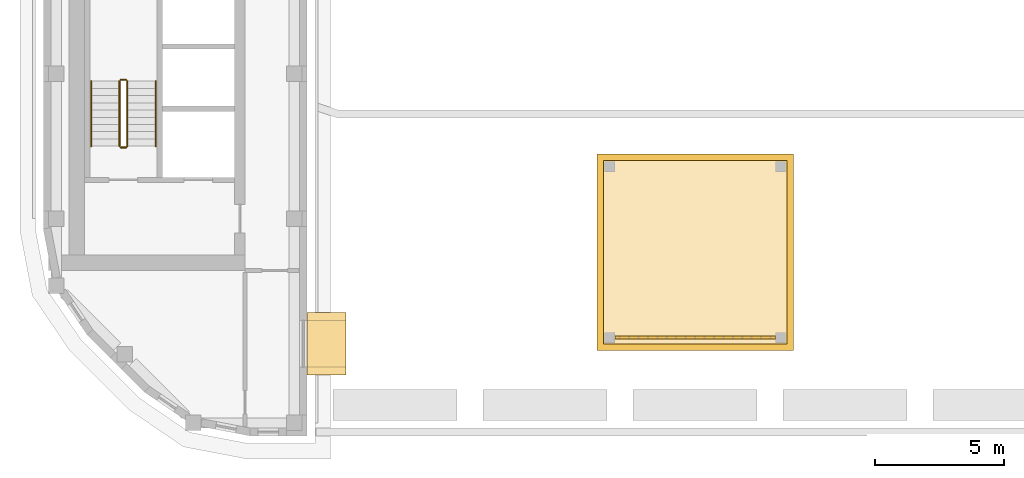
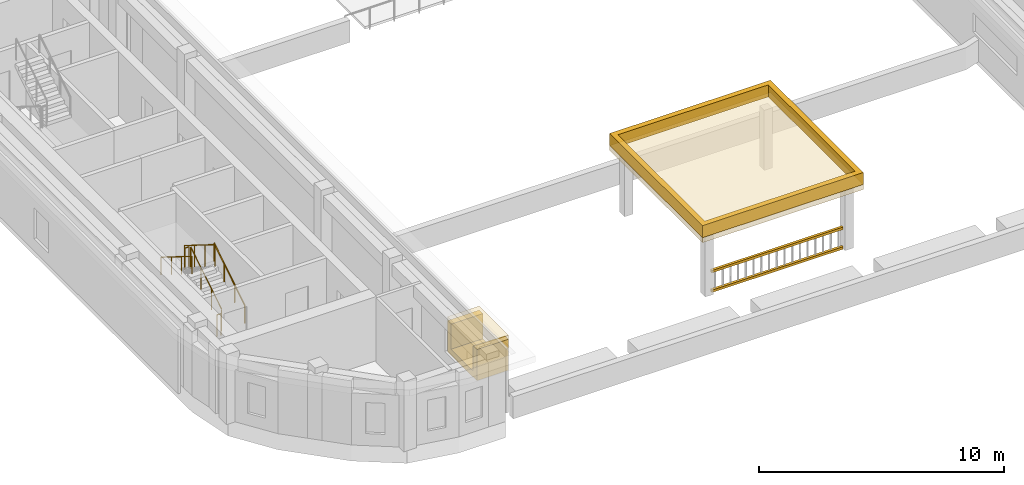
# One storey, part 6 of 14: 6 coverings, 6 railings.
"""IFC4 building model written with IfcOpenShell, lengths in metres."""

from ifc_helpers import new_model, si_unit, direction, frame, origin, origin_2d, place, context, subcontext, project, spatial, polyline, rectangle, circle, outline, extrude, material, layer, layer_set, type_object, element, save


model = new_model("IFC4")

# Units and contexts
model_context = context("Model", 3, precision=1e-05, world=origin(), true_north=direction((0.0, 1.0)))
body_context = subcontext(model_context, "Body", "Model", "MODEL_VIEW")
ifc_project = project(units=[si_unit("LENGTHUNIT", "METRE"), si_unit("AREAUNIT", "SQUARE_METRE"), si_unit("VOLUMEUNIT", "CUBIC_METRE"), si_unit("PLANEANGLEUNIT", "RADIAN"), si_unit("MASSUNIT", "GRAM", prefix="KILO")], contexts=[model_context])

# Site, building, storey
site_placement = place(None, origin())
site = spatial("IfcSite", under=ifc_project, at=site_placement, CompositionType="ELEMENT")
building_placement = place(site_placement, origin())
building = spatial("IfcBuilding", under=site, at=building_placement, Name="Kiln Ring Residences", CompositionType="ELEMENT")
storey_placement = place(building_placement, frame((0.0, 0.0, 299.89990234375)))
storey = spatial("IfcBuildingStorey", under=building, at=storey_placement, Name="L77 Crown", CompositionType="ELEMENT", Elevation=299.89990234375)

# Coverings
ifc_material_1 = material(Name="Brick masonry, dark clay brick", Category="masonry")
ifc_layer_1 = layer(ifc_material_1, 0.25)
ifc_layer_set_1 = layer_set([ifc_layer_1], Name="CHHATRI PARAPET 250")
covering_type_1 = type_object("IfcCoveringType", Name="CHHATRI PARAPET 250", PredefinedType="CLADDING", material=ifc_layer_set_1)
covering_1_placement = place(storey_placement, frame((0.0, 0.0, 3.25)))
element("IfcCovering", 1, at=covering_1_placement, inside=storey, type_object=covering_type_1, Name="CHHATRI PARAPET L77 Crown", PredefinedType="CLADDING", context=body_context, shape_type="SweptSolid", body=[
    extrude(outline(polyline([(-3.800048828125, -16.300048828125), (3.800048828125, -16.300048828125), (3.800048828125, -8.699951171875), (-3.800048828125, -8.699951171875), (-3.800048828125, -16.300048828125)]), holes=[polyline([(3.550048828125, -8.949951171875), (3.550048828125, -16.050048828125), (-3.550048828125, -16.050048828125), (-3.550048828125, -8.949951171875), (3.550048828125, -8.949951171875)])]), origin(), (0.0, 0.0, 1.0), 0.60009765625),
])
ifc_material_2 = material(Name="Concrete C35/45, exposed aggregate finish", Category="concrete")
ifc_layer_2 = layer(ifc_material_2, 0.25)
ifc_layer_set_2 = layer_set([ifc_layer_2], Name="CHHATRI ROOF 250")
covering_type_2 = type_object("IfcCoveringType", Name="CHHATRI ROOF 250", PredefinedType="ROOFING", material=ifc_layer_set_2)
covering_2_placement = place(storey_placement, frame((0.0, 0.0, 3.0)))
element("IfcCovering", 2, at=covering_2_placement, inside=storey, type_object=covering_type_2, Name="CHHATRI ROOF L77 Crown", PredefinedType="ROOFING", context=body_context, shape_type="SweptSolid", body=[
    extrude(outline(polyline([(3.800048828125, -16.300048828125), (3.800048828125, -8.699951171875), (-3.800048828125, -8.699951171875), (-3.800048828125, -16.300048828125), (3.800048828125, -16.300048828125)])), origin(), (0.0, 0.0, 1.0), 0.25),
])

# Railings
ifc_material_3 = material(Name="Stainless steel", Category="steel")
railing_type_1 = type_object("IfcRailingType", Name="CORE-STAIR-GUARD", PredefinedType="GUARDRAIL", material=ifc_material_3)
railing_1_placement = place(storey_placement, frame((-21.949951171875, -8.39990234375, 0.175048828125)))
element("IfcRailing", 3, at=railing_1_placement, inside=storey, type_object=railing_type_1, Name="L77 Crown W-STS stair guard 1", PredefinedType="GUARDRAIL", context=body_context, shape_type="SweptSolid", body=[
    extrude(circle(Radius=0.02392578125, at=origin_2d()), frame((0.0, 0.0, 1.076171875), z_axis=(0.0, 0.848007534815, 0.529984170421), x_axis=(-1.0, 0.0, 0.0)), (0.0, 0.0, 1.0), 2.9716796875),
    extrude(circle(Radius=0.02099609375, at=origin_2d()), origin(), (0.0, 0.0, 1.0), 1.052001953125),
    extrude(circle(Radius=0.02099609375, at=origin_2d()), frame((0.0, 0.840087890625, 0.52490234375)), (0.0, 0.0, 1.0), 1.052001953125),
    extrude(circle(Radius=0.02099609375, at=origin_2d()), frame((0.0, 1.679931640625, 1.050048828125)), (0.0, 0.0, 1.0), 1.052001953125),
    extrude(circle(Radius=0.02099609375, at=origin_2d()), frame((0.0, 2.52001953125, 1.574951171875)), (0.0, 0.0, 1.0), 1.052001953125),
])
railing_2_placement = place(storey_placement, frame((-22.0, -5.830078125, 1.75)))
element("IfcRailing", 4, at=railing_2_placement, inside=storey, type_object=railing_type_1, Name="L77 Crown W-STS stair guard 2", PredefinedType="GUARDRAIL", context=body_context, shape_type="SweptSolid", body=[
    extrude(circle(Radius=0.02392578125, at=origin_2d()), frame((0.0, 0.0, 1.076171875), z_axis=(-1.0, 0.0, 0.0), x_axis=(0.0, -1.0, 0.0)), (0.0, 0.0, 1.0), 0.199951171875),
    extrude(circle(Radius=0.02099609375, at=origin_2d()), origin(), (0.0, 0.0, 1.0), 1.052001953125),
    extrude(circle(Radius=0.02099609375, at=origin_2d()), frame((-0.199951171875, 0.0, 0.0)), (0.0, 0.0, 1.0), 1.052001953125),
])
railing_3_placement = place(storey_placement, frame((-22.25, -5.8798828125, 1.925048828125)))
element("IfcRailing", 5, at=railing_3_placement, inside=storey, type_object=railing_type_1, Name="L77 Crown W-STS stair guard 3", PredefinedType="GUARDRAIL", context=body_context, shape_type="SweptSolid", body=[
    extrude(circle(Radius=0.02392578125, at=origin_2d()), frame((0.0, 0.0, 1.076171875), z_axis=(0.0, -0.848007534815, 0.529984170421), x_axis=(1.0, 0.0, 0.0)), (0.0, 0.0, 1.0), 2.9716796875),
    extrude(circle(Radius=0.02099609375, at=origin_2d()), origin(), (0.0, 0.0, 1.0), 1.052001953125),
    extrude(circle(Radius=0.02099609375, at=origin_2d()), frame((0.0, -0.840087890625, 0.52490234375)), (0.0, 0.0, 1.0), 1.052001953125),
    extrude(circle(Radius=0.02099609375, at=origin_2d()), frame((0.0, -1.679931640625, 1.050048828125)), (0.0, 0.0, 1.0), 1.052001953125),
    extrude(circle(Radius=0.02099609375, at=origin_2d()), frame((0.0, -2.52001953125, 1.574951171875)), (0.0, 0.0, 1.0), 1.052001953125),
])
railing_4_placement = place(storey_placement, frame((-22.0, -8.449951171875, 0.0)))
element("IfcRailing", 6, at=railing_4_placement, inside=storey, type_object=railing_type_1, Name="L77 Crown W-STS stair guard 4", PredefinedType="GUARDRAIL", context=body_context, shape_type="SweptSolid", body=[
    extrude(circle(Radius=0.02392578125, at=origin_2d()), frame((0.0, 0.0, 1.076171875), z_axis=(-1.0, 0.0, 0.0), x_axis=(0.0, -1.0, 0.0)), (0.0, 0.0, 1.0), 0.199951171875),
    extrude(circle(Radius=0.02099609375, at=origin_2d()), origin(), (0.0, 0.0, 1.0), 1.052001953125),
    extrude(circle(Radius=0.02099609375, at=origin_2d()), frame((-0.199951171875, 0.0, 0.0)), (0.0, 0.0, 1.0), 1.052001953125),
])
ifc_material_4 = material(Name="Stainless steel", Category="steel")
railing_type_2 = type_object("IfcRailingType", Name="CORE-STAIR-HANDRAIL", PredefinedType="HANDRAIL", material=ifc_material_4)
railing_5_placement = place(storey_placement, frame((-20.85009765625, -8.39990234375, 0.175048828125)))
element("IfcRailing", 7, at=railing_5_placement, inside=storey, type_object=railing_type_2, Name="L77 Crown W-STS stair handrail 1", PredefinedType="HANDRAIL", context=body_context, shape_type="SweptSolid", body=[
    extrude(circle(Radius=0.02392578125, at=origin_2d()), frame((0.0, 0.0, 0.8759765625), z_axis=(0.0, 0.848007534815, 0.529984170421), x_axis=(-1.0, 0.0, 0.0)), (0.0, 0.0, 1.0), 2.9716796875),
    extrude(circle(Radius=0.02099609375, at=origin_2d()), origin(), (0.0, 0.0, 1.0), 0.851806640625),
    extrude(circle(Radius=0.02099609375, at=origin_2d()), frame((0.0, 0.840087890625, 0.52490234375)), (0.0, 0.0, 1.0), 0.851806640625),
    extrude(circle(Radius=0.02099609375, at=origin_2d()), frame((0.0, 1.679931640625, 1.050048828125)), (0.0, 0.0, 1.0), 0.851806640625),
    extrude(circle(Radius=0.02099609375, at=origin_2d()), frame((0.0, 2.52001953125, 1.574951171875)), (0.0, 0.0, 1.0), 0.851806640625),
])
railing_6_placement = place(storey_placement, frame((-23.35009765625, -5.8798828125, 1.925048828125)))
element("IfcRailing", 8, at=railing_6_placement, inside=storey, type_object=railing_type_2, Name="L77 Crown W-STS stair handrail 2", PredefinedType="HANDRAIL", context=body_context, shape_type="SweptSolid", body=[
    extrude(circle(Radius=0.02392578125, at=origin_2d()), frame((0.0, 0.0, 0.8759765625), z_axis=(0.0, -0.848007534815, 0.529984170421), x_axis=(1.0, 0.0, 0.0)), (0.0, 0.0, 1.0), 2.9716796875),
    extrude(circle(Radius=0.02099609375, at=origin_2d()), origin(), (0.0, 0.0, 1.0), 0.851806640625),
    extrude(circle(Radius=0.02099609375, at=origin_2d()), frame((0.0, -0.840087890625, 0.52490234375)), (0.0, 0.0, 1.0), 0.851806640625),
    extrude(circle(Radius=0.02099609375, at=origin_2d()), frame((0.0, -1.679931640625, 1.050048828125)), (0.0, 0.0, 1.0), 0.851806640625),
    extrude(circle(Radius=0.02099609375, at=origin_2d()), frame((0.0, -2.52001953125, 1.574951171875)), (0.0, 0.0, 1.0), 0.851806640625),
])

# Coverings
ifc_material_5 = material(Name="Brick masonry, dark clay brick", Category="masonry")
ifc_layer_3 = layer(ifc_material_5, 0.300048828125)
ifc_layer_set_3 = layer_set([ifc_layer_3], Name="FRAME CHEEKS AND SILL 1500")
covering_type_3 = type_object("IfcCoveringType", Name="FRAME CHEEKS AND SILL 1500", PredefinedType="CLADDING", material=ifc_layer_set_3)
covering_3_placement = place(storey_placement, frame((-14.25, -17.237548828125, 0.60009765625), z_axis=(0.0, 0.0, 1.0), x_axis=(0.0, 1.0, 0.0)))
element("IfcCovering", 9, at=covering_3_placement, inside=storey, type_object=covering_type_3, Name="FRAME L77 Crown", PredefinedType="CLADDING", context=body_context, shape_type="SweptSolid", body=[
    extrude(outline(polyline([(0.0, 0.0), (2.400146484375, 0.0), (2.39990234375, 1.550048828125), (2.10107421875, 1.550048828125), (2.10009765625, 0.300048828125), (0.300048828125, 0.300048828125), (0.299072265625, 1.550048828125), (0.0, 1.550048828125), (0.0, 0.0)])), frame((0.0, 0.75, 0.0), z_axis=(0.0, -1.0, 0.0), x_axis=(1.0, 0.0, 0.0)), (0.0, 0.0, 1.0), 1.5),
])
ifc_material_6 = material(Name="Brick masonry, dark clay brick", Category="masonry")
ifc_layer_4 = layer(ifc_material_6, 0.199951171875)
ifc_layer_set_4 = layer_set([ifc_layer_4], Name="FRAME HEAD 1500")
covering_type_4 = type_object("IfcCoveringType", Name="FRAME HEAD 1500", PredefinedType="CLADDING", material=ifc_layer_set_4)
covering_4_placement = place(storey_placement, frame((-14.25, -16.03759765625, 2.14990234375), z_axis=(0.0, 0.0, 1.0), x_axis=(0.0, 1.0, 0.0)))
element("IfcCovering", 10, at=covering_4_placement, inside=storey, type_object=covering_type_4, Name="FRAME HEAD L77 Crown", PredefinedType="CLADDING", context=body_context, shape_type="SweptSolid", body=[
    extrude(rectangle(XDim=2.39990234375, YDim=1.5, at=origin_2d()), origin(), (0.0, 0.0, 1.0), 0.199951171875),
])
ifc_material_7 = material(Name="Brick masonry, dark clay brick", Category="masonry")
covering_type_5 = type_object("IfcCoveringType", Name="JAALI RAIL 120", PredefinedType="CLADDING", material=ifc_material_7)
for number, where, z_axis, x_axis, name in (
    (11, (0.0, -15.800048828125, 0.0), (0.0, 0.0, 1.0), (1.0, 0.0, 0.0), "JAALI RAIL L77 Crown"),
    (12, (0.0, -15.800048828125, 0.97998046875), (0.0, 0.0, 1.0), (1.0, 0.0, 0.0), "JAALI RAIL L77 Crown"),
):
    element("IfcCovering", number, at=place(storey_placement, frame(where, z_axis=z_axis, x_axis=x_axis)), inside=storey, type_object=covering_type_5, Name=name, PredefinedType="CLADDING", context=body_context, shape_type="SweptSolid", body=[
        extrude(rectangle(XDim=6.199951171875, YDim=0.1201171875, at=origin_2d()), origin(), (0.0, 0.0, 1.0), 0.1201171875),
    ])

save(model, "model.ifc")
